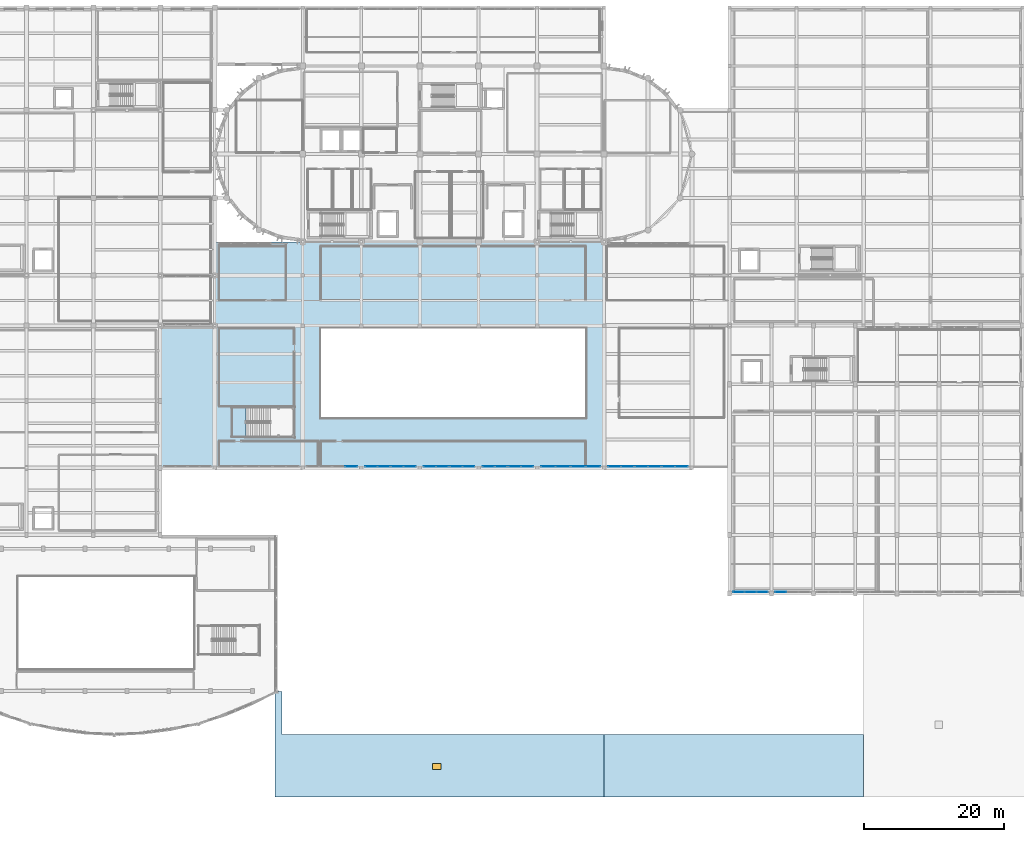
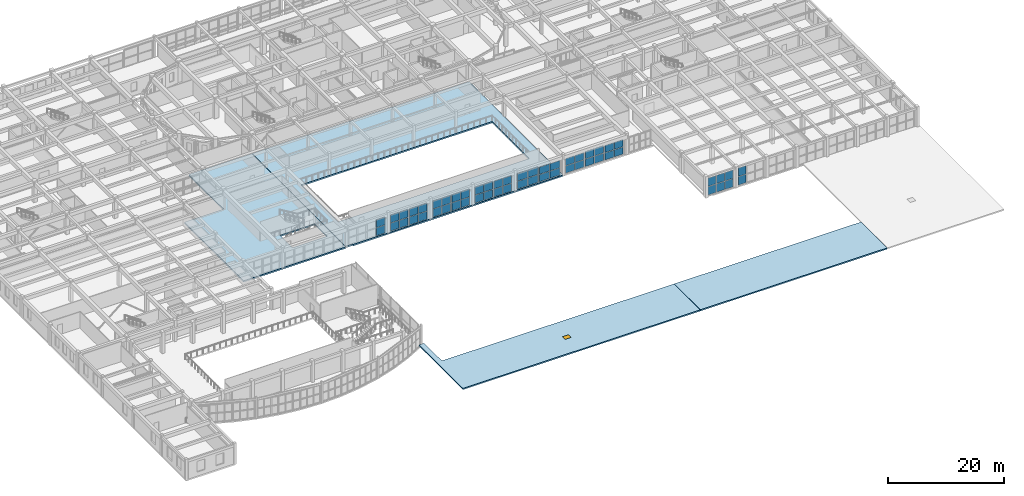
# One storey, part 55 of 92: 54 plates, 4 slabs, 1 door, 1 opening, 14 elements without a shape of their own.
"""IFC4 building model written with IfcOpenShell, lengths in metres."""

from ifc_helpers import new_model, si_unit, direction, frame, origin, origin_2d, place, context, subcontext, project, spatial, polyline, rectangle, outline, extrude, material, layer, layer_set, type_object, element, fill, aggregate, save


model = new_model("IFC4")

# Units and contexts
model_context = context("Model", 3, precision=1e-05, world=origin(), true_north=direction((0.0, 1.0)))
body_context = subcontext(model_context, "Body", "Model", "MODEL_VIEW")
ifc_project = project(units=[si_unit("LENGTHUNIT", "METRE"), si_unit("AREAUNIT", "SQUARE_METRE"), si_unit("VOLUMEUNIT", "CUBIC_METRE"), si_unit("PLANEANGLEUNIT", "RADIAN"), si_unit("MASSUNIT", "GRAM", prefix="KILO")], contexts=[model_context])

# Site, building, storey
site_placement = place(None, origin())
site = spatial("IfcSite", under=ifc_project, at=site_placement, CompositionType="ELEMENT")
building_placement = place(site_placement, origin())
building = spatial("IfcBuilding", under=site, at=building_placement, Name="Tarnavel Promenade Courthouse", CompositionType="ELEMENT")
storey_placement = place(building_placement, frame((0.0, 0.0, 5.39990234375)))
storey = spatial("IfcBuildingStorey", under=building, at=storey_placement, Name="L02", CompositionType="ELEMENT", Elevation=5.39990234375)

# Slab, opening, door
ifc_material_1 = material(Name="Concrete C35/45", Category="concrete")
ifc_layer_1 = layer(ifc_material_1, 0.264892578125)
ifc_layer_set_1 = layer_set([ifc_layer_1], Name="Concrete C35/45")
slab_type_1 = type_object("IfcSlabType", Name="Concrete C35/45 SLB-RF-265 (265 mm)", PredefinedType="ROOF", material=ifc_layer_set_1)
slab_1_placement = place(storey_placement, origin())
slab_1 = element("IfcSlab", 1, at=slab_1_placement, inside=storey, type_object=slab_type_1, Name="L02 South Colonnade Snow-Retaining Roof West", PredefinedType="ROOF", context=body_context, shape_type="SweptSolid", body=[
    extrude(outline(polyline([(54.800048828125, -0.39990234375), (101.97998046875, -0.39990234375), (101.97998046875, 8.60009765625), (55.800048828125, 8.60009765625), (55.800048828125, 14.719970703125), (54.800048828125, 14.719970703125), (54.800048828125, -0.39990234375)])), origin(), (0.0, 0.0, 1.0), 0.26513671875),
])
opening_placement = place(slab_1_placement, frame((78.0, 4.0, 0.0)))
opening = element("IfcOpeningElement", 2, at=opening_placement, cuts=slab_1, Name="Opening HT-02", PredefinedType="OPENING", context=body_context, shape_type="SweptSolid", body=[
    extrude(rectangle(XDim=1.199951171875, YDim=0.89990234375, at=origin_2d()), origin(), (0.0, 0.0, 1.0), 0.26513671875),
])
ifc_material_2 = material(Name="Thermally Broken Insulated Steel Smoke-Vent Roof Hatch", Category="steel")
door_type = type_object("IfcDoorType", Name="Thermally Broken Insulated Steel Smoke-Vent Roof Hatch (HT-RF-1200x0900)", OperationType="NOTDEFINED", PredefinedType="TRAPDOOR", material=ifc_material_2)
door_placement = place(opening_placement, frame((0.0, 0.0, 0.215087890625)))
door = element("IfcDoor", 3, at=door_placement, inside=storey, type_object=door_type, Name="L02 Roof Maintenance Access Hatch HT-05", OperationType="SINGLE_SWING_LEFT", OverallHeight=0.89990234375, OverallWidth=1.199951171875, PredefinedType="TRAPDOOR", context=body_context, shape_type="SweptSolid", body=[
    extrude(rectangle(XDim=1.199951171875, YDim=0.89990234375, at=origin_2d()), origin(), (0.0, 0.0, 1.0), 0.050048828125),
])
fill(opening, door)

# Slabs
slab_2_placement = place(storey_placement, origin())
element("IfcSlab", 4, at=slab_2_placement, inside=storey, type_object=slab_type_1, Name="L02 South Colonnade Snow-Retaining Roof East", PredefinedType="ROOF", context=body_context, shape_type="SweptSolid", body=[
    extrude(outline(polyline([(102.02001953125, -0.39990234375), (139.179931640625, -0.39990234375), (139.179931640625, 8.60009765625), (102.02001953125, 8.60009765625), (102.02001953125, -0.39990234375)])), origin(), (0.0, 0.0, 1.0), 0.26513671875),
])
ifc_material_3 = material(Name="Concrete C40/50", Category="concrete")
ifc_layer_2 = layer(ifc_material_3, 0.300048828125)
ifc_layer_set_2 = layer_set([ifc_layer_2], Name="Concrete C40/50")
slab_type_2 = type_object("IfcSlabType", Name="Concrete C40/50 SLB-STK-300 (300 mm)", PredefinedType="FLOOR", material=ifc_layer_set_2)
slab_3_placement = place(storey_placement, frame((0.0, 0.0, -0.2998046875)))
element("IfcSlab", 5, at=slab_3_placement, inside=storey, type_object=slab_type_2, Name="L02 Winter-Garden West Concourse Slab", PredefinedType="FLOOR", context=body_context, shape_type="SweptSolid", body=[
    extrude(outline(polyline([(38.419921875, 46.800048828125), (58.780029296875, 46.800048828125), (58.780029296875, 79.179931640625), (46.219970703125, 79.179931640625), (46.219970703125, 67.179931640625), (38.419921875, 67.179931640625), (38.419921875, 46.800048828125)]), holes=[polyline([(50.695068359375, 51.199951171875), (57.60009765625, 51.199951171875), (57.60009765625, 55.5), (50.695068359375, 55.5), (50.695068359375, 51.199951171875)])]), origin(), (0.0, 0.0, 1.0), 0.2998046875),
])
slab_4_placement = place(storey_placement, frame((0.0, 0.0, -0.2998046875)))
element("IfcSlab", 6, at=slab_4_placement, inside=storey, type_object=slab_type_2, Name="L02 Winter-Garden Central Concourse Slab", PredefinedType="FLOOR", context=body_context, shape_type="SweptSolid", body=[
    extrude(outline(polyline([(58.820068359375, 46.9599609375), (60.219970703125, 46.9599609375), (60.219970703125, 46.800048828125), (101.97998046875, 46.800048828125), (101.97998046875, 79.179931640625), (58.820068359375, 79.179931640625), (58.820068359375, 46.9599609375)]), holes=[polyline([(61.39990234375, 54.0), (99.39990234375, 54.0), (99.39990234375, 66.800048828125), (61.39990234375, 66.800048828125), (61.39990234375, 54.0)])]), origin(), (0.0, 0.0, 1.0), 0.2998046875),
])

# Curtain wall, plates
ifc_material_4 = material(Name="Thermally Broken Anodised Aluminium Curtain Wall System", Category="aluminium")
ifc_layer_3 = layer(ifc_material_4, 0.199951171875)
ifc_layer_set_3 = layer_set([ifc_layer_3], Name="Thermally Broken Anodised Aluminium Curtain Wall System")
curtain_wall_type_1 = type_object("IfcCurtainWallType", Name="Thermally Broken Aluminium Triple-Glazed Curtain Wall CW-FOYER", PredefinedType="NOTDEFINED", material=ifc_layer_set_3)
curtain_wall_1_placement = place(storey_placement, origin())
curtain_wall_1 = element("IfcCurtainWall", 7, at=curtain_wall_1_placement, inside=storey, type_object=curtain_wall_type_1, Name="L02 Ceremonial Cloister Curtain Wall 167", PredefinedType="NOTDEFINED")
ifc_material_5 = material(Name="Triple Low-E Argon Insulated Glazing", Category="glass")
ifc_layer_4 = layer(ifc_material_5, 0.048095703125)
ifc_layer_set_4 = layer_set([ifc_layer_4], Name="Triple Low-E Argon Insulated Glazing")
plate_type_1 = type_object("IfcPlateType", Name="Triple Low-E Argon Insulated Glazing Unit CWP-48 (48 mm)", PredefinedType="CURTAIN_PANEL", material=ifc_layer_set_4)
plate_1_placement = place(storey_placement, frame((121.322509765625, 29.02001953125, 0.080078125), z_axis=(0.0, 0.0, 1.0), x_axis=(1.0, 0.0, 0.0)))
plate_1 = element("IfcPlate", 8, at=plate_1_placement, type_object=plate_type_1, Name="CW-04 panel 1.1", PredefinedType="CURTAIN_PANEL", context=body_context, shape_type="SweptSolid", body=[
    extrude(rectangle(XDim=1.56494140625, YDim=0.048095703125, at=origin_2d()), origin(), (0.0, 0.0, 1.0), 1.739990234375),
])
plate_2_placement = place(storey_placement, frame((121.322509765625, 29.02001953125, 1.89990234375), z_axis=(0.0, 0.0, 1.0), x_axis=(1.0, 0.0, 0.0)))
plate_2 = element("IfcPlate", 9, at=plate_2_placement, type_object=plate_type_1, Name="CW-04 panel 1.2", PredefinedType="CURTAIN_PANEL", context=body_context, shape_type="SweptSolid", body=[
    extrude(rectangle(XDim=1.56494140625, YDim=0.048095703125, at=origin_2d()), origin(), (0.0, 0.0, 1.0), 1.739990234375),
])
plate_3_placement = place(storey_placement, frame((123.0, 29.02001953125, 0.080078125), z_axis=(0.0, 0.0, 1.0), x_axis=(1.0, 0.0, 0.0)))
plate_3 = element("IfcPlate", 10, at=plate_3_placement, type_object=plate_type_1, Name="CW-04 panel 2.1", PredefinedType="CURTAIN_PANEL", context=body_context, shape_type="SweptSolid", body=[
    extrude(rectangle(XDim=1.610107421875, YDim=0.048095703125, at=origin_2d()), origin(), (0.0, 0.0, 1.0), 1.739990234375),
])
plate_4_placement = place(storey_placement, frame((123.0, 29.02001953125, 1.89990234375), z_axis=(0.0, 0.0, 1.0), x_axis=(1.0, 0.0, 0.0)))
plate_4 = element("IfcPlate", 11, at=plate_4_placement, type_object=plate_type_1, Name="CW-04 panel 2.2", PredefinedType="CURTAIN_PANEL", context=body_context, shape_type="SweptSolid", body=[
    extrude(rectangle(XDim=1.610107421875, YDim=0.048095703125, at=origin_2d()), origin(), (0.0, 0.0, 1.0), 1.739990234375),
])
plate_5_placement = place(storey_placement, frame((124.677490234375, 29.02001953125, 0.080078125), z_axis=(0.0, 0.0, 1.0), x_axis=(1.0, 0.0, 0.0)))
plate_5 = element("IfcPlate", 12, at=plate_5_placement, type_object=plate_type_1, Name="CW-04 panel 3.1", PredefinedType="CURTAIN_PANEL", context=body_context, shape_type="SweptSolid", body=[
    extrude(rectangle(XDim=1.56494140625, YDim=0.048095703125, at=origin_2d()), origin(), (0.0, 0.0, 1.0), 1.739990234375),
])
plate_6_placement = place(storey_placement, frame((124.677490234375, 29.02001953125, 1.89990234375), z_axis=(0.0, 0.0, 1.0), x_axis=(1.0, 0.0, 0.0)))
plate_6 = element("IfcPlate", 13, at=plate_6_placement, type_object=plate_type_1, Name="CW-04 panel 3.2", PredefinedType="CURTAIN_PANEL", context=body_context, shape_type="SweptSolid", body=[
    extrude(rectangle(XDim=1.56494140625, YDim=0.048095703125, at=origin_2d()), origin(), (0.0, 0.0, 1.0), 1.739990234375),
])
aggregate(curtain_wall_1, [plate_1, plate_2, plate_3, plate_4, plate_5, plate_6])

curtain_wall_2_placement = place(storey_placement, origin())
curtain_wall_2 = element("IfcCurtainWall", 14, at=curtain_wall_2_placement, inside=storey, type_object=curtain_wall_type_1, Name="L02 Ceremonial Cloister Curtain Wall 168", PredefinedType="NOTDEFINED")
plate_7_placement = place(storey_placement, frame((127.322509765625, 29.02001953125, 0.080078125), z_axis=(0.0, 0.0, 1.0), x_axis=(1.0, 0.0, 0.0)))
plate_7 = element("IfcPlate", 15, at=plate_7_placement, type_object=plate_type_1, Name="CW-04 panel 1.1", PredefinedType="CURTAIN_PANEL", context=body_context, shape_type="SweptSolid", body=[
    extrude(rectangle(XDim=1.56494140625, YDim=0.048095703125, at=origin_2d()), origin(), (0.0, 0.0, 1.0), 1.739990234375),
])
plate_8_placement = place(storey_placement, frame((127.322509765625, 29.02001953125, 1.89990234375), z_axis=(0.0, 0.0, 1.0), x_axis=(1.0, 0.0, 0.0)))
plate_8 = element("IfcPlate", 16, at=plate_8_placement, type_object=plate_type_1, Name="CW-04 panel 1.2", PredefinedType="CURTAIN_PANEL", context=body_context, shape_type="SweptSolid", body=[
    extrude(rectangle(XDim=1.56494140625, YDim=0.048095703125, at=origin_2d()), origin(), (0.0, 0.0, 1.0), 1.739990234375),
])
aggregate(curtain_wall_2, [plate_7, plate_8])

ifc_layer_5 = layer(ifc_material_4, 0.239990234375)
ifc_layer_set_5 = layer_set([ifc_layer_5], Name="Thermally Broken Anodised Aluminium Curtain Wall System")
curtain_wall_type_2 = type_object("IfcCurtainWallType", Name="Thermally Broken Aluminium Triple-Glazed Curtain Wall CW-WG-S", PredefinedType="NOTDEFINED", material=ifc_layer_set_5)
curtain_wall_3_placement = place(storey_placement, origin())
curtain_wall_3 = element("IfcCurtainWall", 17, at=curtain_wall_3_placement, inside=storey, type_object=curtain_wall_type_2, Name="L02 Winter-Garden South Solar Curtain Wall 068", PredefinedType="NOTDEFINED")
ifc_layer_6 = layer(ifc_material_5, 0.053955078125)
ifc_layer_set_6 = layer_set([ifc_layer_6], Name="Triple Low-E Argon Insulated Glazing")
plate_type_2 = type_object("IfcPlateType", Name="Triple Low-E Argon Insulated Glazing Unit CWP-54 (54 mm)", PredefinedType="CURTAIN_PANEL", material=ifc_layer_set_6)
plate_9_placement = place(storey_placement, frame((65.77001953125, 47.0, 0.080078125), z_axis=(0.0, 0.0, 1.0), x_axis=(1.0, 0.0, 0.0)))
plate_9 = element("IfcPlate", 18, at=plate_9_placement, type_object=plate_type_2, Name="CW-02 panel 2.1", PredefinedType="CURTAIN_PANEL", context=body_context, shape_type="SweptSolid", body=[
    extrude(rectangle(XDim=1.699951171875, YDim=0.053955078125, at=origin_2d()), origin(), (0.0, 0.0, 1.0), 1.64501953125),
])
plate_10_placement = place(storey_placement, frame((65.77001953125, 47.0, 1.80517578125), z_axis=(0.0, 0.0, 1.0), x_axis=(1.0, 0.0, 0.0)))
plate_10 = element("IfcPlate", 19, at=plate_10_placement, type_object=plate_type_2, Name="CW-02 panel 2.2", PredefinedType="CURTAIN_PANEL", context=body_context, shape_type="SweptSolid", body=[
    extrude(rectangle(XDim=1.699951171875, YDim=0.053955078125, at=origin_2d()), origin(), (0.0, 0.0, 1.0), 1.64501953125),
])
aggregate(curtain_wall_3, [plate_9, plate_10])

curtain_wall_4_placement = place(storey_placement, origin())
curtain_wall_4 = element("IfcCurtainWall", 20, at=curtain_wall_4_placement, inside=storey, type_object=curtain_wall_type_2, Name="L02 Winter-Garden South Solar Curtain Wall 069", PredefinedType="NOTDEFINED")
plate_11_placement = place(storey_placement, frame((68.6298828125, 47.0, 0.080078125), z_axis=(0.0, 0.0, 1.0), x_axis=(1.0, 0.0, 0.0)))
plate_11 = element("IfcPlate", 21, at=plate_11_placement, type_object=plate_type_2, Name="CW-02 panel 1.1", PredefinedType="CURTAIN_PANEL", context=body_context, shape_type="SweptSolid", body=[
    extrude(rectangle(XDim=1.699951171875, YDim=0.053955078125, at=origin_2d()), origin(), (0.0, 0.0, 1.0), 1.64501953125),
])
plate_12_placement = place(storey_placement, frame((68.6298828125, 47.0, 1.80517578125), z_axis=(0.0, 0.0, 1.0), x_axis=(1.0, 0.0, 0.0)))
plate_12 = element("IfcPlate", 22, at=plate_12_placement, type_object=plate_type_2, Name="CW-02 panel 1.2", PredefinedType="CURTAIN_PANEL", context=body_context, shape_type="SweptSolid", body=[
    extrude(rectangle(XDim=1.699951171875, YDim=0.053955078125, at=origin_2d()), origin(), (0.0, 0.0, 1.0), 1.64501953125),
])
plate_13_placement = place(storey_placement, frame((70.419921875, 47.0, 0.080078125), z_axis=(0.0, 0.0, 1.0), x_axis=(1.0, 0.0, 0.0)))
plate_13 = element("IfcPlate", 23, at=plate_13_placement, type_object=plate_type_2, Name="CW-02 panel 2.1", PredefinedType="CURTAIN_PANEL", context=body_context, shape_type="SweptSolid", body=[
    extrude(rectangle(XDim=1.699951171875, YDim=0.053955078125, at=origin_2d()), origin(), (0.0, 0.0, 1.0), 1.64501953125),
])
plate_14_placement = place(storey_placement, frame((70.419921875, 47.0, 1.80517578125), z_axis=(0.0, 0.0, 1.0), x_axis=(1.0, 0.0, 0.0)))
plate_14 = element("IfcPlate", 24, at=plate_14_placement, type_object=plate_type_2, Name="CW-02 panel 2.2", PredefinedType="CURTAIN_PANEL", context=body_context, shape_type="SweptSolid", body=[
    extrude(rectangle(XDim=1.699951171875, YDim=0.053955078125, at=origin_2d()), origin(), (0.0, 0.0, 1.0), 1.64501953125),
])
aggregate(curtain_wall_4, [plate_11, plate_12, plate_13, plate_14])

curtain_wall_5_placement = place(storey_placement, origin())
curtain_wall_5 = element("IfcCurtainWall", 25, at=curtain_wall_5_placement, inside=storey, type_object=curtain_wall_type_2, Name="L02 Winter-Garden South Solar Curtain Wall 070", PredefinedType="NOTDEFINED")
plate_15_placement = place(storey_placement, frame((72.3798828125, 47.0, 0.080078125), z_axis=(0.0, 0.0, 1.0), x_axis=(1.0, 0.0, 0.0)))
plate_15 = element("IfcPlate", 26, at=plate_15_placement, type_object=plate_type_2, Name="CW-02 panel 1.1", PredefinedType="CURTAIN_PANEL", context=body_context, shape_type="SweptSolid", body=[
    extrude(rectangle(XDim=1.699951171875, YDim=0.053955078125, at=origin_2d()), origin(), (0.0, 0.0, 1.0), 1.64501953125),
])
plate_16_placement = place(storey_placement, frame((72.3798828125, 47.0, 1.80517578125), z_axis=(0.0, 0.0, 1.0), x_axis=(1.0, 0.0, 0.0)))
plate_16 = element("IfcPlate", 27, at=plate_16_placement, type_object=plate_type_2, Name="CW-02 panel 1.2", PredefinedType="CURTAIN_PANEL", context=body_context, shape_type="SweptSolid", body=[
    extrude(rectangle(XDim=1.699951171875, YDim=0.053955078125, at=origin_2d()), origin(), (0.0, 0.0, 1.0), 1.64501953125),
])
plate_17_placement = place(storey_placement, frame((74.169921875, 47.0, 0.080078125), z_axis=(0.0, 0.0, 1.0), x_axis=(1.0, 0.0, 0.0)))
plate_17 = element("IfcPlate", 28, at=plate_17_placement, type_object=plate_type_2, Name="CW-02 panel 2.1", PredefinedType="CURTAIN_PANEL", context=body_context, shape_type="SweptSolid", body=[
    extrude(rectangle(XDim=1.699951171875, YDim=0.053955078125, at=origin_2d()), origin(), (0.0, 0.0, 1.0), 1.64501953125),
])
plate_18_placement = place(storey_placement, frame((74.169921875, 47.0, 1.80517578125), z_axis=(0.0, 0.0, 1.0), x_axis=(1.0, 0.0, 0.0)))
plate_18 = element("IfcPlate", 29, at=plate_18_placement, type_object=plate_type_2, Name="CW-02 panel 2.2", PredefinedType="CURTAIN_PANEL", context=body_context, shape_type="SweptSolid", body=[
    extrude(rectangle(XDim=1.699951171875, YDim=0.053955078125, at=origin_2d()), origin(), (0.0, 0.0, 1.0), 1.64501953125),
])
aggregate(curtain_wall_5, [plate_15, plate_16, plate_17, plate_18])

curtain_wall_6_placement = place(storey_placement, origin())
curtain_wall_6 = element("IfcCurtainWall", 30, at=curtain_wall_6_placement, inside=storey, type_object=curtain_wall_type_2, Name="L02 Winter-Garden South Solar Curtain Wall 071", PredefinedType="NOTDEFINED")
plate_19_placement = place(storey_placement, frame((77.030029296875, 47.0, 0.080078125), z_axis=(0.0, 0.0, 1.0), x_axis=(1.0, 0.0, 0.0)))
plate_19 = element("IfcPlate", 31, at=plate_19_placement, type_object=plate_type_2, Name="CW-02 panel 1.1", PredefinedType="CURTAIN_PANEL", context=body_context, shape_type="SweptSolid", body=[
    extrude(rectangle(XDim=1.699951171875, YDim=0.053955078125, at=origin_2d()), origin(), (0.0, 0.0, 1.0), 1.64501953125),
])
plate_20_placement = place(storey_placement, frame((77.030029296875, 47.0, 1.80517578125), z_axis=(0.0, 0.0, 1.0), x_axis=(1.0, 0.0, 0.0)))
plate_20 = element("IfcPlate", 32, at=plate_20_placement, type_object=plate_type_2, Name="CW-02 panel 1.2", PredefinedType="CURTAIN_PANEL", context=body_context, shape_type="SweptSolid", body=[
    extrude(rectangle(XDim=1.699951171875, YDim=0.053955078125, at=origin_2d()), origin(), (0.0, 0.0, 1.0), 1.64501953125),
])
plate_21_placement = place(storey_placement, frame((78.820068359375, 47.0, 0.080078125), z_axis=(0.0, 0.0, 1.0), x_axis=(1.0, 0.0, 0.0)))
plate_21 = element("IfcPlate", 33, at=plate_21_placement, type_object=plate_type_2, Name="CW-02 panel 2.1", PredefinedType="CURTAIN_PANEL", context=body_context, shape_type="SweptSolid", body=[
    extrude(rectangle(XDim=1.699951171875, YDim=0.053955078125, at=origin_2d()), origin(), (0.0, 0.0, 1.0), 1.64501953125),
])
plate_22_placement = place(storey_placement, frame((78.820068359375, 47.0, 1.80517578125), z_axis=(0.0, 0.0, 1.0), x_axis=(1.0, 0.0, 0.0)))
plate_22 = element("IfcPlate", 34, at=plate_22_placement, type_object=plate_type_2, Name="CW-02 panel 2.2", PredefinedType="CURTAIN_PANEL", context=body_context, shape_type="SweptSolid", body=[
    extrude(rectangle(XDim=1.699951171875, YDim=0.053955078125, at=origin_2d()), origin(), (0.0, 0.0, 1.0), 1.64501953125),
])
aggregate(curtain_wall_6, [plate_19, plate_20, plate_21, plate_22])

curtain_wall_7_placement = place(storey_placement, origin())
curtain_wall_7 = element("IfcCurtainWall", 35, at=curtain_wall_7_placement, inside=storey, type_object=curtain_wall_type_2, Name="L02 Winter-Garden South Solar Curtain Wall 072", PredefinedType="NOTDEFINED")
plate_23_placement = place(storey_placement, frame((80.780029296875, 47.0, 0.080078125), z_axis=(0.0, 0.0, 1.0), x_axis=(1.0, 0.0, 0.0)))
plate_23 = element("IfcPlate", 36, at=plate_23_placement, type_object=plate_type_2, Name="CW-02 panel 1.1", PredefinedType="CURTAIN_PANEL", context=body_context, shape_type="SweptSolid", body=[
    extrude(rectangle(XDim=1.699951171875, YDim=0.053955078125, at=origin_2d()), origin(), (0.0, 0.0, 1.0), 1.64501953125),
])
plate_24_placement = place(storey_placement, frame((80.780029296875, 47.0, 1.80517578125), z_axis=(0.0, 0.0, 1.0), x_axis=(1.0, 0.0, 0.0)))
plate_24 = element("IfcPlate", 37, at=plate_24_placement, type_object=plate_type_2, Name="CW-02 panel 1.2", PredefinedType="CURTAIN_PANEL", context=body_context, shape_type="SweptSolid", body=[
    extrude(rectangle(XDim=1.699951171875, YDim=0.053955078125, at=origin_2d()), origin(), (0.0, 0.0, 1.0), 1.64501953125),
])
plate_25_placement = place(storey_placement, frame((82.570068359375, 47.0, 0.080078125), z_axis=(0.0, 0.0, 1.0), x_axis=(1.0, 0.0, 0.0)))
plate_25 = element("IfcPlate", 38, at=plate_25_placement, type_object=plate_type_2, Name="CW-02 panel 2.1", PredefinedType="CURTAIN_PANEL", context=body_context, shape_type="SweptSolid", body=[
    extrude(rectangle(XDim=1.699951171875, YDim=0.053955078125, at=origin_2d()), origin(), (0.0, 0.0, 1.0), 1.64501953125),
])
plate_26_placement = place(storey_placement, frame((82.570068359375, 47.0, 1.80517578125), z_axis=(0.0, 0.0, 1.0), x_axis=(1.0, 0.0, 0.0)))
plate_26 = element("IfcPlate", 39, at=plate_26_placement, type_object=plate_type_2, Name="CW-02 panel 2.2", PredefinedType="CURTAIN_PANEL", context=body_context, shape_type="SweptSolid", body=[
    extrude(rectangle(XDim=1.699951171875, YDim=0.053955078125, at=origin_2d()), origin(), (0.0, 0.0, 1.0), 1.64501953125),
])
aggregate(curtain_wall_7, [plate_23, plate_24, plate_25, plate_26])

curtain_wall_8_placement = place(storey_placement, origin())
curtain_wall_8 = element("IfcCurtainWall", 40, at=curtain_wall_8_placement, inside=storey, type_object=curtain_wall_type_2, Name="L02 Winter-Garden South Solar Curtain Wall 073", PredefinedType="NOTDEFINED")
plate_27_placement = place(storey_placement, frame((85.429931640625, 47.0, 0.080078125), z_axis=(0.0, 0.0, 1.0), x_axis=(1.0, 0.0, 0.0)))
plate_27 = element("IfcPlate", 41, at=plate_27_placement, type_object=plate_type_2, Name="CW-02 panel 1.1", PredefinedType="CURTAIN_PANEL", context=body_context, shape_type="SweptSolid", body=[
    extrude(rectangle(XDim=1.699951171875, YDim=0.053955078125, at=origin_2d()), origin(), (0.0, 0.0, 1.0), 1.64501953125),
])
plate_28_placement = place(storey_placement, frame((85.429931640625, 47.0, 1.80517578125), z_axis=(0.0, 0.0, 1.0), x_axis=(1.0, 0.0, 0.0)))
plate_28 = element("IfcPlate", 42, at=plate_28_placement, type_object=plate_type_2, Name="CW-02 panel 1.2", PredefinedType="CURTAIN_PANEL", context=body_context, shape_type="SweptSolid", body=[
    extrude(rectangle(XDim=1.699951171875, YDim=0.053955078125, at=origin_2d()), origin(), (0.0, 0.0, 1.0), 1.64501953125),
])
plate_29_placement = place(storey_placement, frame((87.219970703125, 47.0, 0.080078125), z_axis=(0.0, 0.0, 1.0), x_axis=(1.0, 0.0, 0.0)))
plate_29 = element("IfcPlate", 43, at=plate_29_placement, type_object=plate_type_2, Name="CW-02 panel 2.1", PredefinedType="CURTAIN_PANEL", context=body_context, shape_type="SweptSolid", body=[
    extrude(rectangle(XDim=1.699951171875, YDim=0.053955078125, at=origin_2d()), origin(), (0.0, 0.0, 1.0), 1.64501953125),
])
plate_30_placement = place(storey_placement, frame((87.219970703125, 47.0, 1.80517578125), z_axis=(0.0, 0.0, 1.0), x_axis=(1.0, 0.0, 0.0)))
plate_30 = element("IfcPlate", 44, at=plate_30_placement, type_object=plate_type_2, Name="CW-02 panel 2.2", PredefinedType="CURTAIN_PANEL", context=body_context, shape_type="SweptSolid", body=[
    extrude(rectangle(XDim=1.699951171875, YDim=0.053955078125, at=origin_2d()), origin(), (0.0, 0.0, 1.0), 1.64501953125),
])
aggregate(curtain_wall_8, [plate_27, plate_28, plate_29, plate_30])

curtain_wall_9_placement = place(storey_placement, origin())
curtain_wall_9 = element("IfcCurtainWall", 45, at=curtain_wall_9_placement, inside=storey, type_object=curtain_wall_type_2, Name="L02 Winter-Garden South Solar Curtain Wall 074", PredefinedType="NOTDEFINED")
plate_31_placement = place(storey_placement, frame((89.179931640625, 47.0, 0.080078125), z_axis=(0.0, 0.0, 1.0), x_axis=(1.0, 0.0, 0.0)))
plate_31 = element("IfcPlate", 46, at=plate_31_placement, type_object=plate_type_2, Name="CW-02 panel 1.1", PredefinedType="CURTAIN_PANEL", context=body_context, shape_type="SweptSolid", body=[
    extrude(rectangle(XDim=1.699951171875, YDim=0.053955078125, at=origin_2d()), origin(), (0.0, 0.0, 1.0), 1.594970703125),
])
plate_32_placement = place(storey_placement, frame((89.179931640625, 47.0, 1.7548828125), z_axis=(0.0, 0.0, 1.0), x_axis=(1.0, 0.0, 0.0)))
plate_32 = element("IfcPlate", 47, at=plate_32_placement, type_object=plate_type_2, Name="CW-02 panel 1.2", PredefinedType="CURTAIN_PANEL", context=body_context, shape_type="SweptSolid", body=[
    extrude(rectangle(XDim=1.699951171875, YDim=0.053955078125, at=origin_2d()), origin(), (0.0, 0.0, 1.0), 1.594970703125),
])
plate_33_placement = place(storey_placement, frame((90.969970703125, 47.0, 0.080078125), z_axis=(0.0, 0.0, 1.0), x_axis=(1.0, 0.0, 0.0)))
plate_33 = element("IfcPlate", 48, at=plate_33_placement, type_object=plate_type_2, Name="CW-02 panel 2.1", PredefinedType="CURTAIN_PANEL", context=body_context, shape_type="SweptSolid", body=[
    extrude(rectangle(XDim=1.699951171875, YDim=0.053955078125, at=origin_2d()), origin(), (0.0, 0.0, 1.0), 1.594970703125),
])
plate_34_placement = place(storey_placement, frame((90.969970703125, 47.0, 1.7548828125), z_axis=(0.0, 0.0, 1.0), x_axis=(1.0, 0.0, 0.0)))
plate_34 = element("IfcPlate", 49, at=plate_34_placement, type_object=plate_type_2, Name="CW-02 panel 2.2", PredefinedType="CURTAIN_PANEL", context=body_context, shape_type="SweptSolid", body=[
    extrude(rectangle(XDim=1.699951171875, YDim=0.053955078125, at=origin_2d()), origin(), (0.0, 0.0, 1.0), 1.594970703125),
])
aggregate(curtain_wall_9, [plate_31, plate_32, plate_33, plate_34])

curtain_wall_10_placement = place(storey_placement, origin())
curtain_wall_10 = element("IfcCurtainWall", 50, at=curtain_wall_10_placement, inside=storey, type_object=curtain_wall_type_2, Name="L02 Winter-Garden South Solar Curtain Wall 075", PredefinedType="NOTDEFINED")
plate_35_placement = place(storey_placement, frame((93.97998046875, 47.0, 0.080078125), z_axis=(0.0, 0.0, 1.0), x_axis=(1.0, 0.0, 0.0)))
plate_35 = element("IfcPlate", 51, at=plate_35_placement, type_object=plate_type_2, Name="CW-02 panel 1.1", PredefinedType="CURTAIN_PANEL", context=body_context, shape_type="SweptSolid", body=[
    extrude(rectangle(XDim=2.0, YDim=0.053955078125, at=origin_2d()), origin(), (0.0, 0.0, 1.0), 1.594970703125),
])
plate_36_placement = place(storey_placement, frame((93.97998046875, 47.0, 1.7548828125), z_axis=(0.0, 0.0, 1.0), x_axis=(1.0, 0.0, 0.0)))
plate_36 = element("IfcPlate", 52, at=plate_36_placement, type_object=plate_type_2, Name="CW-02 panel 1.2", PredefinedType="CURTAIN_PANEL", context=body_context, shape_type="SweptSolid", body=[
    extrude(rectangle(XDim=2.0, YDim=0.053955078125, at=origin_2d()), origin(), (0.0, 0.0, 1.0), 1.594970703125),
])
plate_37_placement = place(storey_placement, frame((96.070068359375, 47.0, 0.080078125), z_axis=(0.0, 0.0, 1.0), x_axis=(1.0, 0.0, 0.0)))
plate_37 = element("IfcPlate", 53, at=plate_37_placement, type_object=plate_type_2, Name="CW-02 panel 2.1", PredefinedType="CURTAIN_PANEL", context=body_context, shape_type="SweptSolid", body=[
    extrude(rectangle(XDim=2.0, YDim=0.053955078125, at=origin_2d()), origin(), (0.0, 0.0, 1.0), 1.594970703125),
])
plate_38_placement = place(storey_placement, frame((96.070068359375, 47.0, 1.7548828125), z_axis=(0.0, 0.0, 1.0), x_axis=(1.0, 0.0, 0.0)))
plate_38 = element("IfcPlate", 54, at=plate_38_placement, type_object=plate_type_2, Name="CW-02 panel 2.2", PredefinedType="CURTAIN_PANEL", context=body_context, shape_type="SweptSolid", body=[
    extrude(rectangle(XDim=2.0, YDim=0.053955078125, at=origin_2d()), origin(), (0.0, 0.0, 1.0), 1.594970703125),
])
aggregate(curtain_wall_10, [plate_35, plate_36, plate_37, plate_38])

curtain_wall_11_placement = place(storey_placement, origin())
curtain_wall_11 = element("IfcCurtainWall", 55, at=curtain_wall_11_placement, inside=storey, type_object=curtain_wall_type_2, Name="L02 Winter-Garden South Solar Curtain Wall 076", PredefinedType="NOTDEFINED")
plate_39_placement = place(storey_placement, frame((98.330078125, 47.0, 0.080078125), z_axis=(0.0, 0.0, 1.0), x_axis=(1.0, 0.0, 0.0)))
plate_39 = element("IfcPlate", 56, at=plate_39_placement, type_object=plate_type_2, Name="CW-02 panel 1.1", PredefinedType="CURTAIN_PANEL", context=body_context, shape_type="SweptSolid", body=[
    extrude(rectangle(XDim=2.0, YDim=0.053955078125, at=origin_2d()), origin(), (0.0, 0.0, 1.0), 1.4951171875),
])
plate_40_placement = place(storey_placement, frame((98.330078125, 47.0, 1.655029296875), z_axis=(0.0, 0.0, 1.0), x_axis=(1.0, 0.0, 0.0)))
plate_40 = element("IfcPlate", 57, at=plate_40_placement, type_object=plate_type_2, Name="CW-02 panel 1.2", PredefinedType="CURTAIN_PANEL", context=body_context, shape_type="SweptSolid", body=[
    extrude(rectangle(XDim=2.0, YDim=0.053955078125, at=origin_2d()), origin(), (0.0, 0.0, 1.0), 1.4951171875),
])
plate_41_placement = place(storey_placement, frame((100.419921875, 47.0, 0.080078125), z_axis=(0.0, 0.0, 1.0), x_axis=(1.0, 0.0, 0.0)))
plate_41 = element("IfcPlate", 58, at=plate_41_placement, type_object=plate_type_2, Name="CW-02 panel 2.1", PredefinedType="CURTAIN_PANEL", context=body_context, shape_type="SweptSolid", body=[
    extrude(rectangle(XDim=2.0, YDim=0.053955078125, at=origin_2d()), origin(), (0.0, 0.0, 1.0), 1.4951171875),
])
plate_42_placement = place(storey_placement, frame((100.419921875, 47.0, 1.655029296875), z_axis=(0.0, 0.0, 1.0), x_axis=(1.0, 0.0, 0.0)))
plate_42 = element("IfcPlate", 59, at=plate_42_placement, type_object=plate_type_2, Name="CW-02 panel 2.2", PredefinedType="CURTAIN_PANEL", context=body_context, shape_type="SweptSolid", body=[
    extrude(rectangle(XDim=2.0, YDim=0.053955078125, at=origin_2d()), origin(), (0.0, 0.0, 1.0), 1.4951171875),
])
aggregate(curtain_wall_11, [plate_39, plate_40, plate_41, plate_42])

curtain_wall_12_placement = place(storey_placement, origin())
curtain_wall_12 = element("IfcCurtainWall", 60, at=curtain_wall_12_placement, inside=storey, type_object=curtain_wall_type_2, Name="L02 Winter-Garden South Solar Curtain Wall 077", PredefinedType="NOTDEFINED")
plate_43_placement = place(storey_placement, frame((103.467529296875, 47.0, 0.080078125), z_axis=(0.0, 0.0, 1.0), x_axis=(1.0, 0.0, 0.0)))
plate_43 = element("IfcPlate", 61, at=plate_43_placement, type_object=plate_type_2, Name="CW-02 panel 1.1", PredefinedType="CURTAIN_PANEL", context=body_context, shape_type="SweptSolid", body=[
    extrude(rectangle(XDim=1.77490234375, YDim=0.053955078125, at=origin_2d()), origin(), (0.0, 0.0, 1.0), 1.4951171875),
])
plate_44_placement = place(storey_placement, frame((103.467529296875, 47.0, 1.655029296875), z_axis=(0.0, 0.0, 1.0), x_axis=(1.0, 0.0, 0.0)))
plate_44 = element("IfcPlate", 62, at=plate_44_placement, type_object=plate_type_2, Name="CW-02 panel 1.2", PredefinedType="CURTAIN_PANEL", context=body_context, shape_type="SweptSolid", body=[
    extrude(rectangle(XDim=1.77490234375, YDim=0.053955078125, at=origin_2d()), origin(), (0.0, 0.0, 1.0), 1.4951171875),
])
plate_45_placement = place(storey_placement, frame((105.33251953125, 47.0, 0.080078125), z_axis=(0.0, 0.0, 1.0), x_axis=(1.0, 0.0, 0.0)))
plate_45 = element("IfcPlate", 63, at=plate_45_placement, type_object=plate_type_2, Name="CW-02 panel 2.1", PredefinedType="CURTAIN_PANEL", context=body_context, shape_type="SweptSolid", body=[
    extrude(rectangle(XDim=1.77490234375, YDim=0.053955078125, at=origin_2d()), origin(), (0.0, 0.0, 1.0), 1.4951171875),
])
plate_46_placement = place(storey_placement, frame((105.33251953125, 47.0, 1.655029296875), z_axis=(0.0, 0.0, 1.0), x_axis=(1.0, 0.0, 0.0)))
plate_46 = element("IfcPlate", 64, at=plate_46_placement, type_object=plate_type_2, Name="CW-02 panel 2.2", PredefinedType="CURTAIN_PANEL", context=body_context, shape_type="SweptSolid", body=[
    extrude(rectangle(XDim=1.77490234375, YDim=0.053955078125, at=origin_2d()), origin(), (0.0, 0.0, 1.0), 1.4951171875),
])
aggregate(curtain_wall_12, [plate_43, plate_44, plate_45, plate_46])

curtain_wall_13_placement = place(storey_placement, origin())
curtain_wall_13 = element("IfcCurtainWall", 65, at=curtain_wall_13_placement, inside=storey, type_object=curtain_wall_type_2, Name="L02 Winter-Garden South Solar Curtain Wall 078", PredefinedType="NOTDEFINED")
plate_47_placement = place(storey_placement, frame((107.367431640625, 47.0, 0.080078125), z_axis=(0.0, 0.0, 1.0), x_axis=(1.0, 0.0, 0.0)))
plate_47 = element("IfcPlate", 66, at=plate_47_placement, type_object=plate_type_2, Name="CW-02 panel 1.1", PredefinedType="CURTAIN_PANEL", context=body_context, shape_type="SweptSolid", body=[
    extrude(rectangle(XDim=1.77490234375, YDim=0.053955078125, at=origin_2d()), origin(), (0.0, 0.0, 1.0), 1.544921875),
])
plate_48_placement = place(storey_placement, frame((107.367431640625, 47.0, 1.705078125), z_axis=(0.0, 0.0, 1.0), x_axis=(1.0, 0.0, 0.0)))
plate_48 = element("IfcPlate", 67, at=plate_48_placement, type_object=plate_type_2, Name="CW-02 panel 1.2", PredefinedType="CURTAIN_PANEL", context=body_context, shape_type="SweptSolid", body=[
    extrude(rectangle(XDim=1.77490234375, YDim=0.053955078125, at=origin_2d()), origin(), (0.0, 0.0, 1.0), 1.544921875),
])
plate_49_placement = place(storey_placement, frame((109.232421875, 47.0, 0.080078125), z_axis=(0.0, 0.0, 1.0), x_axis=(1.0, 0.0, 0.0)))
plate_49 = element("IfcPlate", 68, at=plate_49_placement, type_object=plate_type_2, Name="CW-02 panel 2.1", PredefinedType="CURTAIN_PANEL", context=body_context, shape_type="SweptSolid", body=[
    extrude(rectangle(XDim=1.77490234375, YDim=0.053955078125, at=origin_2d()), origin(), (0.0, 0.0, 1.0), 1.544921875),
])
plate_50_placement = place(storey_placement, frame((109.232421875, 47.0, 1.705078125), z_axis=(0.0, 0.0, 1.0), x_axis=(1.0, 0.0, 0.0)))
plate_50 = element("IfcPlate", 69, at=plate_50_placement, type_object=plate_type_2, Name="CW-02 panel 2.2", PredefinedType="CURTAIN_PANEL", context=body_context, shape_type="SweptSolid", body=[
    extrude(rectangle(XDim=1.77490234375, YDim=0.053955078125, at=origin_2d()), origin(), (0.0, 0.0, 1.0), 1.544921875),
])
aggregate(curtain_wall_13, [plate_47, plate_48, plate_49, plate_50])

curtain_wall_14_placement = place(storey_placement, origin())
curtain_wall_14 = element("IfcCurtainWall", 70, at=curtain_wall_14_placement, inside=storey, type_object=curtain_wall_type_2, Name="L02 Winter-Garden South Solar Curtain Wall 079", PredefinedType="NOTDEFINED")
plate_51_placement = place(storey_placement, frame((111.267578125, 47.0, 0.080078125), z_axis=(0.0, 0.0, 1.0), x_axis=(1.0, 0.0, 0.0)))
plate_51 = element("IfcPlate", 71, at=plate_51_placement, type_object=plate_type_2, Name="CW-02 panel 1.1", PredefinedType="CURTAIN_PANEL", context=body_context, shape_type="SweptSolid", body=[
    extrude(rectangle(XDim=1.77490234375, YDim=0.053955078125, at=origin_2d()), origin(), (0.0, 0.0, 1.0), 1.4951171875),
])
plate_52_placement = place(storey_placement, frame((111.267578125, 47.0, 1.655029296875), z_axis=(0.0, 0.0, 1.0), x_axis=(1.0, 0.0, 0.0)))
plate_52 = element("IfcPlate", 72, at=plate_52_placement, type_object=plate_type_2, Name="CW-02 panel 1.2", PredefinedType="CURTAIN_PANEL", context=body_context, shape_type="SweptSolid", body=[
    extrude(rectangle(XDim=1.77490234375, YDim=0.053955078125, at=origin_2d()), origin(), (0.0, 0.0, 1.0), 1.4951171875),
])
plate_53_placement = place(storey_placement, frame((113.132568359375, 47.0, 0.080078125), z_axis=(0.0, 0.0, 1.0), x_axis=(1.0, 0.0, 0.0)))
plate_53 = element("IfcPlate", 73, at=plate_53_placement, type_object=plate_type_2, Name="CW-02 panel 2.1", PredefinedType="CURTAIN_PANEL", context=body_context, shape_type="SweptSolid", body=[
    extrude(rectangle(XDim=1.77490234375, YDim=0.053955078125, at=origin_2d()), origin(), (0.0, 0.0, 1.0), 1.4951171875),
])
plate_54_placement = place(storey_placement, frame((113.132568359375, 47.0, 1.655029296875), z_axis=(0.0, 0.0, 1.0), x_axis=(1.0, 0.0, 0.0)))
plate_54 = element("IfcPlate", 74, at=plate_54_placement, type_object=plate_type_2, Name="CW-02 panel 2.2", PredefinedType="CURTAIN_PANEL", context=body_context, shape_type="SweptSolid", body=[
    extrude(rectangle(XDim=1.77490234375, YDim=0.053955078125, at=origin_2d()), origin(), (0.0, 0.0, 1.0), 1.4951171875),
])
aggregate(curtain_wall_14, [plate_51, plate_52, plate_53, plate_54])

save(model, "model.ifc")
